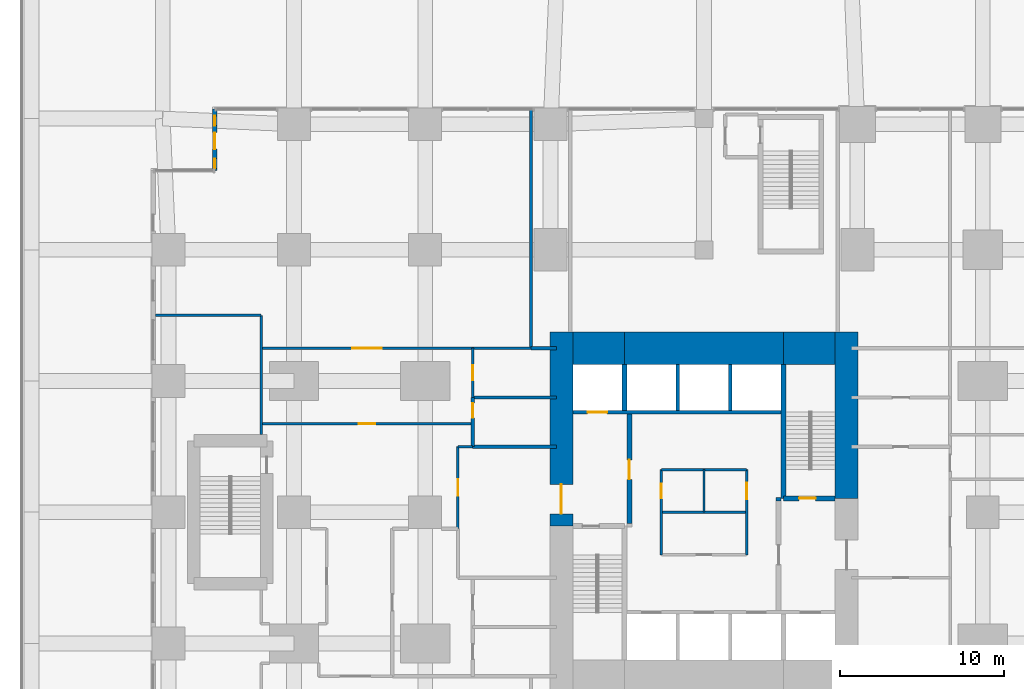
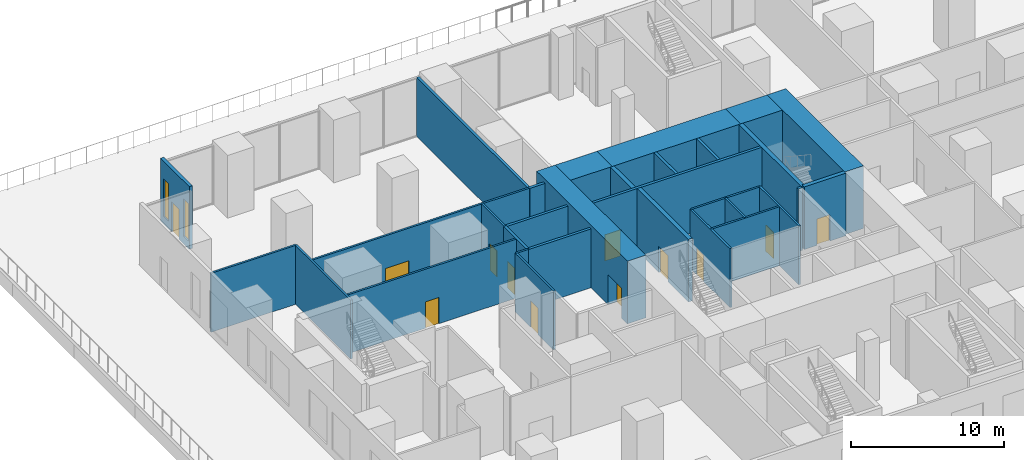
# One storey, part 10 of 16: 31 walls, 12 doors, 2 windows, 14 openings.
"""IFC4 building model written with IfcOpenShell, lengths in metres."""

from ifc_helpers import new_model, si_unit, direction, frame, frame_2d, origin, place, context, subcontext, project, spatial, rectangle, extrude, material, layer, layer_set, type_object, element, fill, save


model = new_model("IFC4")

# Units and contexts
model_context = context("Model", 3, precision=1e-05, world=origin(), true_north=direction((0.0, 1.0)))
body_context = subcontext(model_context, "Body", "Model", "MODEL_VIEW")
ifc_project = project(units=[si_unit("LENGTHUNIT", "METRE"), si_unit("AREAUNIT", "SQUARE_METRE"), si_unit("VOLUMEUNIT", "CUBIC_METRE"), si_unit("PLANEANGLEUNIT", "RADIAN"), si_unit("MASSUNIT", "GRAM", prefix="KILO")], contexts=[model_context])

# Site, building, storey
site_placement = place(None, origin())
site = spatial("IfcSite", under=ifc_project, at=site_placement, CompositionType="ELEMENT")
building_placement = place(site_placement, origin())
building = spatial("IfcBuilding", under=site, at=building_placement, Name="Cleftline Residences", CompositionType="ELEMENT")
storey_placement = place(building_placement, frame((0.0, 0.0, 16.0)))
storey = spatial("IfcBuildingStorey", under=building, at=storey_placement, Name="L03", CompositionType="ELEMENT", Elevation=16.0)

# Wall, opening, door
ifc_material_1 = material(Name="Concrete B70", Category="concrete")
ifc_layer_1 = layer(ifc_material_1, 1.39990234375)
ifc_layer_set_1 = layer_set([ifc_layer_1], Name="CORE WALL 1400")
wall_type_1 = type_object("IfcWallType", Name="CORE WALL 1400", PredefinedType="SHEAR", material=ifc_layer_set_1)
wall_1_placement = place(storey_placement, frame((24.300048828125, 23.14990234375, 0.0), z_axis=(0.0, 0.0, 1.0), x_axis=(0.0, 1.0, 0.0)))
wall_1 = element("IfcWall", 1, at=wall_1_placement, inside=storey, type_object=wall_type_1, Name="Core wall W", PredefinedType="SHEAR", context=body_context, shape_type="SweptSolid", body=[
    extrude(rectangle(XDim=11.85009765625, YDim=1.39990234375, at=frame_2d((5.925048828125, 0.0))), origin(), (0.0, 0.0, 1.0), 5.0),
])
opening_1_placement = place(wall_1_placement, frame((0.75, 0.0, 0.0)))
opening_1 = element("IfcOpeningElement", 2, at=opening_1_placement, cuts=wall_1, Name="Opening D7", PredefinedType="OPENING", context=body_context, shape_type="SweptSolid", body=[
    extrude(rectangle(XDim=1.800048828125, YDim=2.39990234375, at=frame_2d((0.89990234375, 1.199951171875))), frame((0.0, 0.7099609375, 0.0), z_axis=(0.0, -1.0, 0.0), x_axis=(1.0, 0.0, 0.0)), (0.0, 0.0, 1.0), 1.419921875),
])
ifc_material_2 = material(Name="Steel", Category="steel")
door_type_1 = type_object("IfcDoorType", Name="WING DOOR 1800X2400", OperationType="DOUBLE_DOOR_DOUBLE_SWING", PredefinedType="DOOR", material=ifc_material_2)
door_1_placement = place(opening_1_placement, origin())
door_1 = element("IfcDoor", 3, at=door_1_placement, inside=storey, type_object=door_type_1, Name="West wing door", OperationType="DOUBLE_DOOR_DOUBLE_SWING", OverallHeight=2.39990234375, OverallWidth=1.800048828125, PredefinedType="DOOR", context=body_context, shape_type="SweptSolid", body=[
    extrude(rectangle(XDim=1.800048828125, YDim=2.39990234375, at=frame_2d((0.89990234375, 1.199951171875))), frame((0.0, 0.02490234375, 0.0), z_axis=(0.0, -1.0, 0.0), x_axis=(1.0, 0.0, 0.0)), (0.0, 0.0, 1.0), 0.050048828125),
])
fill(opening_1, door_1)

# Walls
wall_2_placement = place(storey_placement, frame((41.699951171875, 24.85009765625, 0.0), z_axis=(0.0, 0.0, 1.0), x_axis=(0.0, 1.0, 0.0)))
element("IfcWall", 4, at=wall_2_placement, inside=storey, type_object=wall_type_1, Name="Core wall E1", PredefinedType="SHEAR", context=body_context, shape_type="SweptSolid", body=[
    extrude(rectangle(XDim=10.14990234375, YDim=1.39990234375, at=frame_2d((5.074951171875, 0.0))), origin(), (0.0, 0.0, 1.0), 5.0),
])
ifc_material_3 = material(Name="Concrete B70", Category="concrete")
ifc_layer_2 = layer(ifc_material_3, 2.0)
ifc_layer_set_2 = layer_set([ifc_layer_2], Name="CORE WALL 2000")
wall_type_2 = type_object("IfcWallType", Name="CORE WALL 2000", PredefinedType="SHEAR", material=ifc_layer_set_2)
wall_3_placement = place(storey_placement, frame((25.0, 34.0, 0.0), z_axis=(0.0, 0.0, 1.0), x_axis=(1.0, 0.0, 0.0)))
element("IfcWall", 5, at=wall_3_placement, inside=storey, type_object=wall_type_2, Name="Core wall N1", PredefinedType="SHEAR", context=body_context, shape_type="SweptSolid", body=[
    extrude(rectangle(XDim=3.14990234375, YDim=2.0, at=frame_2d((1.574951171875, 0.0))), origin(), (0.0, 0.0, 1.0), 5.0),
])
wall_4_placement = place(storey_placement, frame((28.14990234375, 34.0, 0.0), z_axis=(0.0, 0.0, 1.0), x_axis=(1.0, 0.0, 0.0)))
element("IfcWall", 6, at=wall_4_placement, inside=storey, type_object=wall_type_2, Name="Core wall N2", PredefinedType="SHEAR", context=body_context, shape_type="SweptSolid", body=[
    extrude(rectangle(XDim=9.7001953125, YDim=2.0, at=frame_2d((4.85009765625, 0.0))), origin(), (0.0, 0.0, 1.0), 5.0),
])
wall_5_placement = place(storey_placement, frame((37.85009765625, 34.0, 0.0), z_axis=(0.0, 0.0, 1.0), x_axis=(1.0, 0.0, 0.0)))
element("IfcWall", 7, at=wall_5_placement, inside=storey, type_object=wall_type_2, Name="Core wall N3", PredefinedType="SHEAR", context=body_context, shape_type="SweptSolid", body=[
    extrude(rectangle(XDim=3.14990234375, YDim=2.0, at=frame_2d((1.574951171875, 0.0))), origin(), (0.0, 0.0, 1.0), 5.0),
])
ifc_material_4 = material(Name="Concrete B70", Category="concrete")
ifc_layer_3 = layer(ifc_material_4, 0.300048828125)
ifc_layer_set_3 = layer_set([ifc_layer_3], Name="CORE WALL 300")
wall_type_3 = type_object("IfcWallType", Name="CORE WALL 300", PredefinedType="SHEAR", material=ifc_layer_set_3)
wall_6_placement = place(storey_placement, frame((37.85009765625, 24.85009765625, 0.0), z_axis=(0.0, 0.0, 1.0), x_axis=(0.0, 1.0, 0.0)))
element("IfcWall", 8, at=wall_6_placement, inside=storey, type_object=wall_type_3, Name="Core wall SB-W", PredefinedType="SHEAR", context=body_context, shape_type="SweptSolid", body=[
    extrude(rectangle(XDim=8.14990234375, YDim=0.300048828125, at=frame_2d((4.074951171875, 0.0))), origin(), (0.0, 0.0, 1.0), 5.0),
])

# Wall, opening, door
wall_7_placement = place(storey_placement, frame((37.85009765625, 24.85009765625, 0.0), z_axis=(0.0, 0.0, 1.0), x_axis=(1.0, 0.0, 0.0)))
wall_7 = element("IfcWall", 9, at=wall_7_placement, inside=storey, type_object=wall_type_3, Name="Core wall SB-S", PredefinedType="SHEAR", context=body_context, shape_type="SweptSolid", body=[
    extrude(rectangle(XDim=3.14990234375, YDim=0.300048828125, at=frame_2d((1.574951171875, 0.0))), origin(), (0.0, 0.0, 1.0), 5.0),
])
opening_2_placement = place(wall_7_placement, frame((0.949951171875, 0.0, 0.0)))
opening_2 = element("IfcOpeningElement", 10, at=opening_2_placement, cuts=wall_7, Name="Opening D5", PredefinedType="OPENING", context=body_context, shape_type="SweptSolid", body=[
    extrude(rectangle(XDim=1.0, YDim=2.10009765625, at=frame_2d((0.5, 1.050048828125))), frame((0.0, 0.159912109375, 0.0), z_axis=(0.0, -1.0, 0.0), x_axis=(1.0, 0.0, 0.0)), (0.0, 0.0, 1.0), 0.320068359375),
])
ifc_material_5 = material(Name="Steel", Category="steel")
door_type_2 = type_object("IfcDoorType", Name="STAIR DOOR 1000X2100", OperationType="SINGLE_SWING_LEFT", PredefinedType="DOOR", material=ifc_material_5)
door_2_placement = place(opening_2_placement, origin())
door_2 = element("IfcDoor", 11, at=door_2_placement, inside=storey, type_object=door_type_2, Name="Stair B door", OperationType="SINGLE_SWING_RIGHT", OverallHeight=2.10009765625, OverallWidth=1.0, PredefinedType="DOOR", context=body_context, shape_type="SweptSolid", body=[
    extrude(rectangle(XDim=1.0, YDim=2.10009765625, at=frame_2d((0.5, 1.050048828125))), frame((0.0, 0.02490234375, 0.0), z_axis=(0.0, -1.0, 0.0), x_axis=(1.0, 0.0, 0.0)), (0.0, 0.0, 1.0), 0.050048828125),
])
fill(opening_2, door_2)

# Wall
wall_8_placement = place(storey_placement, frame((28.14990234375, 30.199951171875, 0.0), z_axis=(0.0, 0.0, 1.0), x_axis=(0.0, 1.0, 0.0)))
element("IfcWall", 12, at=wall_8_placement, inside=storey, type_object=wall_type_3, Name="Lift shaft wall", PredefinedType="SHEAR", context=body_context, shape_type="SweptSolid", body=[
    extrude(rectangle(XDim=2.800048828125, YDim=0.300048828125, at=frame_2d((1.39990234375, 0.0))), origin(), (0.0, 0.0, 1.0), 5.0),
])

# Wall, openings, door, windows
ifc_material_6 = material(Name="Rendered reinforced concrete blockwork", Category="masonry")
ifc_layer_4 = layer(ifc_material_6, 0.25)
ifc_layer_set_4 = layer_set([ifc_layer_4], Name="EXTERNAL WALL 250")
wall_type_4 = type_object("IfcWallType", Name="EXTERNAL WALL 250", PredefinedType="SOLIDWALL", material=ifc_layer_set_4)
wall_9_placement = place(storey_placement, frame((3.175048828125, 48.574951171875, 0.0), z_axis=(0.0, 0.0, 1.0), x_axis=(0.0, -1.0, 0.0)))
wall_9 = element("IfcWall", 13, at=wall_9_placement, inside=storey, type_object=wall_type_4, Name="External wall", PredefinedType="SOLIDWALL", context=body_context, shape_type="SweptSolid", body=[
    extrude(rectangle(XDim=3.75, YDim=0.25, at=frame_2d((1.875, 0.0))), origin(), (0.0, 0.0, 1.0), 5.0),
])
opening_3_placement = place(wall_9_placement, frame((1.4375, 0.0, 0.0)))
opening_3 = element("IfcOpeningElement", 14, at=opening_3_placement, cuts=wall_9, Name="Opening DT1", PredefinedType="OPENING", context=body_context, shape_type="SweptSolid", body=[
    extrude(rectangle(XDim=1.0, YDim=2.39990234375, at=frame_2d((0.5, 1.199951171875))), frame((0.0, 0.135009765625, 0.0), z_axis=(0.0, -1.0, 0.0), x_axis=(1.0, 0.0, 0.0)), (0.0, 0.0, 1.0), 0.27001953125),
])
opening_4_placement = place(wall_9_placement, frame((0.40625, 0.0, 0.60009765625)))
opening_4 = element("IfcOpeningElement", 15, at=opening_4_placement, cuts=wall_9, Name="Opening W4", PredefinedType="OPENING", context=body_context, shape_type="SweptSolid", body=[
    extrude(rectangle(XDim=0.60009765625, YDim=3.0, at=frame_2d((0.300048828125, 1.5))), frame((0.0, 0.135009765625, 0.0), z_axis=(0.0, -1.0, 0.0), x_axis=(1.0, 0.0, 0.0)), (0.0, 0.0, 1.0), 0.27001953125),
])
opening_5_placement = place(wall_9_placement, frame((3.018798828125, 0.0, 0.60009765625)))
opening_5 = element("IfcOpeningElement", 16, at=opening_5_placement, cuts=wall_9, Name="Opening W4", PredefinedType="OPENING", context=body_context, shape_type="SweptSolid", body=[
    extrude(rectangle(XDim=0.60009765625, YDim=3.0, at=frame_2d((0.300048828125, 1.5))), frame((0.0, 0.135009765625, 0.0), z_axis=(0.0, -1.0, 0.0), x_axis=(1.0, 0.0, 0.0)), (0.0, 0.0, 1.0), 0.27001953125),
])
ifc_material_7 = material(Name="Aluminium and laminated glass", Category="aluminium")
door_type_3 = type_object("IfcDoorType", Name="TERRACE DOOR 1000X2400", OperationType="SINGLE_SWING_LEFT", PredefinedType="DOOR", material=ifc_material_7)
door_3_placement = place(opening_3_placement, origin())
door_3 = element("IfcDoor", 17, at=door_3_placement, inside=storey, type_object=door_type_3, Name="Terrace door", OperationType="SINGLE_SWING_LEFT", OverallHeight=2.39990234375, OverallWidth=1.0, PredefinedType="DOOR", context=body_context, shape_type="SweptSolid", body=[
    extrude(rectangle(XDim=1.0, YDim=2.39990234375, at=frame_2d((0.5, 1.199951171875))), frame((0.0, 0.02490234375, 0.0), z_axis=(0.0, -1.0, 0.0), x_axis=(1.0, 0.0, 0.0)), (0.0, 0.0, 1.0), 0.050048828125),
])
fill(opening_3, door_3)
ifc_material_8 = material(Name="Aluminium frame, clear double glazing", Category="aluminium")
window_type = type_object("IfcWindowType", Name="WINDOW 600X3000", PartitioningType="DOUBLE_PANEL_VERTICAL", PredefinedType="WINDOW", material=ifc_material_8)
window_1_placement = place(opening_4_placement, origin())
window_1 = element("IfcWindow", 18, at=window_1_placement, inside=storey, type_object=window_type, Name="Window", OverallHeight=3.0, OverallWidth=0.60009765625, PartitioningType="SINGLE_PANEL", PredefinedType="WINDOW", context=body_context, shape_type="SweptSolid", body=[
    extrude(rectangle(XDim=0.60009765625, YDim=3.0, at=frame_2d((0.300048828125, 1.5))), frame((0.0, 0.030029296875, 0.0), z_axis=(0.0, -1.0, 0.0), x_axis=(1.0, 0.0, 0.0)), (0.0, 0.0, 1.0), 0.06005859375),
])
fill(opening_4, window_1)
window_2_placement = place(opening_5_placement, origin())
window_2 = element("IfcWindow", 19, at=window_2_placement, inside=storey, type_object=window_type, Name="Window", OverallHeight=3.0, OverallWidth=0.60009765625, PartitioningType="SINGLE_PANEL", PredefinedType="WINDOW", context=body_context, shape_type="SweptSolid", body=[
    extrude(rectangle(XDim=0.60009765625, YDim=3.0, at=frame_2d((0.300048828125, 1.5))), frame((0.0, 0.030029296875, 0.0), z_axis=(0.0, -1.0, 0.0), x_axis=(1.0, 0.0, 0.0)), (0.0, 0.0, 1.0), 0.06005859375),
])
fill(opening_5, window_2)

# Walls
ifc_material_9 = material(Name="Concrete blockwork, fire rated", Category="masonry")
ifc_layer_5 = layer(ifc_material_9, 0.199951171875)
ifc_layer_set_5 = layer_set([ifc_layer_5], Name="FIRE WALL 200")
wall_type_5 = type_object("IfcWallType", Name="FIRE WALL 200", PredefinedType="PARTITIONING", material=ifc_layer_set_5)
for number, where, z_axis, x_axis, name in (
    (20, (18.89990234375, 28.0, 0.0), (0.0, 0.0, 1.0), (1.0, 0.0, 0.0), "Fire separating wall"),
    (21, (18.89990234375, 31.0, 0.0), (0.0, 0.0, 1.0), (1.0, 0.0, 0.0), "Fire separating wall"),
):
    element("IfcWall", number, at=place(storey_placement, frame(where, z_axis=z_axis, x_axis=x_axis)), inside=storey, type_object=wall_type_5, Name=name, PredefinedType="PARTITIONING", context=body_context, shape_type="SweptSolid", body=[
        extrude(rectangle(XDim=5.10009765625, YDim=0.199951171875, at=frame_2d((2.550048828125, 0.0))), origin(), (0.0, 0.0, 1.0), 4.699951171875),
    ])
wall_10_placement = place(storey_placement, frame((22.449951171875, 34.0, 0.0), z_axis=(0.0, 0.0, 1.0), x_axis=(1.0, 0.0, 0.0)))
element("IfcWall", 22, at=wall_10_placement, inside=storey, type_object=wall_type_5, Name="Fire separating wall", PredefinedType="PARTITIONING", context=body_context, shape_type="SweptSolid", body=[
    extrude(rectangle(XDim=1.550048828125, YDim=0.199951171875, at=frame_2d((0.77490234375, 0.0))), origin(), (0.0, 0.0, 1.0), 4.699951171875),
])

# Wall, opening, door
wall_11_placement = place(storey_placement, frame((18.89990234375, 28.0, 0.0), z_axis=(0.0, 0.0, 1.0), x_axis=(0.0, 1.0, 0.0)))
wall_11 = element("IfcWall", 23, at=wall_11_placement, inside=storey, type_object=wall_type_5, Name="Fire separating wall", PredefinedType="PARTITIONING", context=body_context, shape_type="SweptSolid", body=[
    extrude(rectangle(XDim=3.0, YDim=0.199951171875, at=frame_2d((1.5, 0.0))), origin(), (0.0, 0.0, 1.0), 4.699951171875),
])
opening_6_placement = place(wall_11_placement, frame((1.75, 0.0, 0.0)))
opening_6 = element("IfcOpeningElement", 24, at=opening_6_placement, cuts=wall_11, Name="Opening D1F30", PredefinedType="OPENING", context=body_context, shape_type="SweptSolid", body=[
    extrude(rectangle(XDim=0.89990234375, YDim=2.10009765625, at=frame_2d((0.449951171875, 1.050048828125))), frame((0.0, 0.10986328125, 0.0), z_axis=(0.0, -1.0, 0.0), x_axis=(1.0, 0.0, 0.0)), (0.0, 0.0, 1.0), 0.219970703125),
])
ifc_material_10 = material(Name="Timber veneer on solid core", Category="wood")
door_type_4 = type_object("IfcDoorType", Name="DOOR 900X2100 EI 30", OperationType="SINGLE_SWING_LEFT", PredefinedType="DOOR", material=ifc_material_10)
door_4_placement = place(opening_6_placement, origin())
door_4 = element("IfcDoor", 25, at=door_4_placement, inside=storey, type_object=door_type_4, Name="Door to accessible wc", OperationType="SINGLE_SWING_LEFT", OverallHeight=2.10009765625, OverallWidth=0.89990234375, PredefinedType="DOOR", context=body_context, shape_type="SweptSolid", body=[
    extrude(rectangle(XDim=0.89990234375, YDim=2.10009765625, at=frame_2d((0.449951171875, 1.050048828125))), frame((0.0, 0.02490234375, 0.0), z_axis=(0.0, -1.0, 0.0), x_axis=(1.0, 0.0, 0.0)), (0.0, 0.0, 1.0), 0.050048828125),
])
fill(opening_6, door_4)

# Walls
wall_12_placement = place(storey_placement, frame((22.449951171875, 34.0, 0.0), z_axis=(0.0, 0.0, 1.0), x_axis=(0.0, 1.0, 0.0)))
element("IfcWall", 26, at=wall_12_placement, inside=storey, type_object=wall_type_5, Name="Fire separating wall", PredefinedType="PARTITIONING", context=body_context, shape_type="SweptSolid", body=[
    extrude(rectangle(XDim=14.56103515625, YDim=0.199951171875, at=frame_2d((7.280517578125, 0.0))), origin(), (0.0, 0.0, 1.0), 4.699951171875),
])
wall_13_placement = place(storey_placement, frame((37.39990234375, 24.800048828125, 0.0), z_axis=(0.0, 0.0, 1.0), x_axis=(1.0, 0.0, 0.0)))
element("IfcWall", 27, at=wall_13_placement, inside=storey, type_object=wall_type_5, Name="Fire separating wall", PredefinedType="PARTITIONING", context=body_context, shape_type="SweptSolid", body=[
    extrude(rectangle(XDim=0.300048828125, YDim=0.199951171875, at=frame_2d((0.14990234375, 0.0))), origin(), (0.0, 0.0, 1.0), 5.0),
])
ifc_material_11 = material(Name="Gypsum board on steel studs", Category="steel")
ifc_layer_6 = layer(ifc_material_11, 0.14990234375)
ifc_layer_set_6 = layer_set([ifc_layer_6], Name="PARTITION 150")
wall_type_6 = type_object("IfcWallType", Name="PARTITION 150", PredefinedType="PARTITIONING", material=ifc_layer_set_6)
wall_14_placement = place(storey_placement, frame((18.0, 28.0, 0.0), z_axis=(0.0, 0.0, 1.0), x_axis=(1.0, 0.0, 0.0)))
element("IfcWall", 28, at=wall_14_placement, inside=storey, type_object=wall_type_6, Name="Partition", PredefinedType="PARTITIONING", context=body_context, shape_type="SweptSolid", body=[
    extrude(rectangle(XDim=0.89990234375, YDim=0.14990234375, at=frame_2d((0.449951171875, 0.0))), origin(), (0.0, 0.0, 1.0), 4.699951171875),
])

# Wall, opening, door
wall_15_placement = place(storey_placement, frame((6.0, 29.39990234375, 0.0), z_axis=(0.0, 0.0, 1.0), x_axis=(1.0, 0.0, 0.0)))
wall_15 = element("IfcWall", 29, at=wall_15_placement, inside=storey, type_object=wall_type_6, Name="Partition", PredefinedType="PARTITIONING", context=body_context, shape_type="SweptSolid", body=[
    extrude(rectangle(XDim=12.89990234375, YDim=0.14990234375, at=frame_2d((6.449951171875, 0.0))), origin(), (0.0, 0.0, 1.0), 4.699951171875),
])
opening_7_placement = place(wall_15_placement, frame((5.949951171875, 0.0, 0.0)))
opening_7 = element("IfcOpeningElement", 30, at=opening_7_placement, cuts=wall_15, Name="Opening D2F30", PredefinedType="OPENING", context=body_context, shape_type="SweptSolid", body=[
    extrude(rectangle(XDim=1.0, YDim=2.10009765625, at=frame_2d((0.5, 1.050048828125))), frame((0.0, 0.0849609375, 0.0), z_axis=(0.0, -1.0, 0.0), x_axis=(1.0, 0.0, 0.0)), (0.0, 0.0, 1.0), 0.169921875),
])
ifc_material_12 = material(Name="Timber veneer on solid core", Category="wood")
door_type_5 = type_object("IfcDoorType", Name="DOOR 1000X2100 EI 30", OperationType="SINGLE_SWING_LEFT", PredefinedType="DOOR", material=ifc_material_12)
door_5_placement = place(opening_7_placement, origin())
door_5 = element("IfcDoor", 31, at=door_5_placement, inside=storey, type_object=door_type_5, Name="Door to podium corridor north", OperationType="SINGLE_SWING_LEFT", OverallHeight=2.10009765625, OverallWidth=1.0, PredefinedType="DOOR", context=body_context, shape_type="SweptSolid", body=[
    extrude(rectangle(XDim=1.0, YDim=2.10009765625, at=frame_2d((0.5, 1.050048828125))), frame((0.0, 0.02490234375, 0.0), z_axis=(0.0, -1.0, 0.0), x_axis=(1.0, 0.0, 0.0)), (0.0, 0.0, 1.0), 0.050048828125),
])
fill(opening_7, door_5)

wall_16_placement = place(storey_placement, frame((6.0, 34.0, 0.0), z_axis=(0.0, 0.0, 1.0), x_axis=(1.0, 0.0, 0.0)))
wall_16 = element("IfcWall", 32, at=wall_16_placement, inside=storey, type_object=wall_type_6, Name="Partition", PredefinedType="PARTITIONING", context=body_context, shape_type="SweptSolid", body=[
    extrude(rectangle(XDim=16.449951171875, YDim=0.14990234375, at=frame_2d((8.22509765625, 0.0))), origin(), (0.0, 0.0, 1.0), 4.699951171875),
])
opening_8_placement = place(wall_16_placement, frame((5.550048828125, 0.0, 0.0)))
opening_8 = element("IfcOpeningElement", 33, at=opening_8_placement, cuts=wall_16, Name="Opening D3", PredefinedType="OPENING", context=body_context, shape_type="SweptSolid", body=[
    extrude(rectangle(XDim=1.800048828125, YDim=2.10009765625, at=frame_2d((0.89990234375, 1.050048828125))), frame((0.0, 0.0849609375, 0.0), z_axis=(0.0, -1.0, 0.0), x_axis=(1.0, 0.0, 0.0)), (0.0, 0.0, 1.0), 0.169921875),
])
ifc_material_13 = material(Name="Timber veneer on solid core", Category="wood")
door_type_6 = type_object("IfcDoorType", Name="DOUBLE DOOR 1800X2100", OperationType="DOUBLE_DOOR_DOUBLE_SWING", PredefinedType="DOOR", material=ifc_material_13)
door_6_placement = place(opening_8_placement, origin())
door_6 = element("IfcDoor", 34, at=door_6_placement, inside=storey, type_object=door_type_6, Name="Door to children's playroom", OperationType="DOUBLE_DOOR_DOUBLE_SWING", OverallHeight=2.10009765625, OverallWidth=1.800048828125, PredefinedType="DOOR", context=body_context, shape_type="SweptSolid", body=[
    extrude(rectangle(XDim=1.800048828125, YDim=2.10009765625, at=frame_2d((0.89990234375, 1.050048828125))), frame((0.0, 0.02490234375, 0.0), z_axis=(0.0, -1.0, 0.0), x_axis=(1.0, 0.0, 0.0)), (0.0, 0.0, 1.0), 0.050048828125),
])
fill(opening_8, door_6)

# Walls
wall_17_placement = place(storey_placement, frame((-0.449951171875, 36.0, 0.0), z_axis=(0.0, 0.0, 1.0), x_axis=(1.0, 0.0, 0.0)))
element("IfcWall", 35, at=wall_17_placement, inside=storey, type_object=wall_type_6, Name="Partition", PredefinedType="PARTITIONING", context=body_context, shape_type="SweptSolid", body=[
    extrude(rectangle(XDim=6.449951171875, YDim=0.14990234375, at=frame_2d((3.22509765625, 0.0))), origin(), (0.0, 0.0, 1.0), 4.699951171875),
])
wall_18_placement = place(storey_placement, frame((6.0, 28.72509765625, 0.0), z_axis=(0.0, 0.0, 1.0), x_axis=(0.0, 1.0, 0.0)))
element("IfcWall", 36, at=wall_18_placement, inside=storey, type_object=wall_type_6, Name="Partition", PredefinedType="PARTITIONING", context=body_context, shape_type="SweptSolid", body=[
    extrude(rectangle(XDim=7.27490234375, YDim=0.14990234375, at=frame_2d((3.637451171875, 0.0))), origin(), (0.0, 0.0, 1.0), 4.699951171875),
])

# Wall, opening, door
wall_19_placement = place(storey_placement, frame((18.0, 23.0, 0.0), z_axis=(0.0, 0.0, 1.0), x_axis=(0.0, 1.0, 0.0)))
wall_19 = element("IfcWall", 37, at=wall_19_placement, inside=storey, type_object=wall_type_6, Name="Partition", PredefinedType="PARTITIONING", context=body_context, shape_type="SweptSolid", body=[
    extrude(rectangle(XDim=5.0, YDim=0.14990234375, at=frame_2d((2.5, 0.0))), origin(), (0.0, 0.0, 1.0), 4.699951171875),
])
opening_9_placement = place(wall_19_placement, frame((2.0, 0.0, 0.0)))
opening_9 = element("IfcOpeningElement", 38, at=opening_9_placement, cuts=wall_19, Name="Opening D2F30", PredefinedType="OPENING", context=body_context, shape_type="SweptSolid", body=[
    extrude(rectangle(XDim=1.0, YDim=2.10009765625, at=frame_2d((0.5, 1.050048828125))), frame((0.0, 0.0849609375, 0.0), z_axis=(0.0, -1.0, 0.0), x_axis=(1.0, 0.0, 0.0)), (0.0, 0.0, 1.0), 0.169921875),
])
door_7_placement = place(opening_9_placement, origin())
door_7 = element("IfcDoor", 39, at=door_7_placement, inside=storey, type_object=door_type_5, Name="Door to podium corridor", OperationType="SINGLE_SWING_LEFT", OverallHeight=2.10009765625, OverallWidth=1.0, PredefinedType="DOOR", context=body_context, shape_type="SweptSolid", body=[
    extrude(rectangle(XDim=1.0, YDim=2.10009765625, at=frame_2d((0.5, 1.050048828125))), frame((0.0, 0.02490234375, 0.0), z_axis=(0.0, -1.0, 0.0), x_axis=(1.0, 0.0, 0.0)), (0.0, 0.0, 1.0), 0.050048828125),
])
fill(opening_9, door_7)

wall_20_placement = place(storey_placement, frame((18.89990234375, 31.0, 0.0), z_axis=(0.0, 0.0, 1.0), x_axis=(0.0, 1.0, 0.0)))
wall_20 = element("IfcWall", 40, at=wall_20_placement, inside=storey, type_object=wall_type_6, Name="Partition", PredefinedType="PARTITIONING", context=body_context, shape_type="SweptSolid", body=[
    extrude(rectangle(XDim=3.0, YDim=0.14990234375, at=frame_2d((1.5, 0.0))), origin(), (0.0, 0.0, 1.0), 4.699951171875),
])
opening_10_placement = place(wall_20_placement, frame((1.050048828125, 0.0, 0.0)))
opening_10 = element("IfcOpeningElement", 41, at=opening_10_placement, cuts=wall_20, Name="Opening D1", PredefinedType="OPENING", context=body_context, shape_type="SweptSolid", body=[
    extrude(rectangle(XDim=0.89990234375, YDim=2.10009765625, at=frame_2d((0.449951171875, 1.050048828125))), frame((0.0, 0.0849609375, 0.0), z_axis=(0.0, -1.0, 0.0), x_axis=(1.0, 0.0, 0.0)), (0.0, 0.0, 1.0), 0.169921875),
])
ifc_material_14 = material(Name="Timber veneer on solid core", Category="wood")
door_type_7 = type_object("IfcDoorType", Name="DOOR 900X2100", OperationType="SINGLE_SWING_LEFT", PredefinedType="DOOR", material=ifc_material_14)
door_8_placement = place(opening_10_placement, origin())
door_8 = element("IfcDoor", 42, at=door_8_placement, inside=storey, type_object=door_type_7, Name="Door to cleaner's store", OperationType="SINGLE_SWING_LEFT", OverallHeight=2.10009765625, OverallWidth=0.89990234375, PredefinedType="DOOR", context=body_context, shape_type="SweptSolid", body=[
    extrude(rectangle(XDim=0.89990234375, YDim=2.10009765625, at=frame_2d((0.449951171875, 1.050048828125))), frame((0.0, 0.02490234375, 0.0), z_axis=(0.0, -1.0, 0.0), x_axis=(1.0, 0.0, 0.0)), (0.0, 0.0, 1.0), 0.050048828125),
])
fill(opening_10, door_8)

# Wall
ifc_material_15 = material(Name="Fire-resisting gypsum board on steel studs", Category="steel")
ifc_layer_7 = layer(ifc_material_15, 0.14990234375)
ifc_layer_set_7 = layer_set([ifc_layer_7], Name="PARTITION 150 EI 60")
wall_type_7 = type_object("IfcWallType", Name="PARTITION 150 EI 60", PredefinedType="PARTITIONING", material=ifc_layer_set_7)
wall_21_placement = place(storey_placement, frame((30.39990234375, 26.60009765625, 0.0), z_axis=(0.0, 0.0, 1.0), x_axis=(1.0, 0.0, 0.0)))
element("IfcWall", 43, at=wall_21_placement, inside=storey, type_object=wall_type_7, Name="Core room partition", PredefinedType="PARTITIONING", context=body_context, shape_type="SweptSolid", body=[
    extrude(rectangle(XDim=5.2001953125, YDim=0.14990234375, at=frame_2d((2.60009765625, 0.0))), origin(), (0.0, 0.0, 1.0), 4.699951171875),
])

# Wall, opening, door
wall_22_placement = place(storey_placement, frame((30.39990234375, 21.39990234375, 0.0), z_axis=(0.0, 0.0, 1.0), x_axis=(0.0, 1.0, 0.0)))
wall_22 = element("IfcWall", 44, at=wall_22_placement, inside=storey, type_object=wall_type_7, Name="Core room partition", PredefinedType="PARTITIONING", context=body_context, shape_type="SweptSolid", body=[
    extrude(rectangle(XDim=5.2001953125, YDim=0.14990234375, at=frame_2d((2.60009765625, 0.0))), origin(), (0.0, 0.0, 1.0), 4.699951171875),
])
opening_11_placement = place(wall_22_placement, frame((3.449951171875, 0.0, 0.0)))
opening_11 = element("IfcOpeningElement", 45, at=opening_11_placement, cuts=wall_22, Name="Opening D1F30", PredefinedType="OPENING", context=body_context, shape_type="SweptSolid", body=[
    extrude(rectangle(XDim=0.89990234375, YDim=2.10009765625, at=frame_2d((0.449951171875, 1.050048828125))), frame((0.0, 0.0849609375, 0.0), z_axis=(0.0, -1.0, 0.0), x_axis=(1.0, 0.0, 0.0)), (0.0, 0.0, 1.0), 0.169921875),
])
door_9_placement = place(opening_11_placement, origin())
door_9 = element("IfcDoor", 46, at=door_9_placement, inside=storey, type_object=door_type_4, Name="Door to linen store", OperationType="SINGLE_SWING_LEFT", OverallHeight=2.10009765625, OverallWidth=0.89990234375, PredefinedType="DOOR", context=body_context, shape_type="SweptSolid", body=[
    extrude(rectangle(XDim=0.89990234375, YDim=2.10009765625, at=frame_2d((0.449951171875, 1.050048828125))), frame((0.0, 0.02490234375, 0.0), z_axis=(0.0, -1.0, 0.0), x_axis=(1.0, 0.0, 0.0)), (0.0, 0.0, 1.0), 0.050048828125),
])
fill(opening_11, door_9)

wall_23_placement = place(storey_placement, frame((35.60009765625, 21.39990234375, 0.0), z_axis=(0.0, 0.0, 1.0), x_axis=(0.0, 1.0, 0.0)))
wall_23 = element("IfcWall", 47, at=wall_23_placement, inside=storey, type_object=wall_type_7, Name="Core room partition", PredefinedType="PARTITIONING", context=body_context, shape_type="SweptSolid", body=[
    extrude(rectangle(XDim=5.2001953125, YDim=0.14990234375, at=frame_2d((2.60009765625, 0.0))), origin(), (0.0, 0.0, 1.0), 4.699951171875),
])
opening_12_placement = place(wall_23_placement, frame((3.39990234375, 0.0, 0.0)))
opening_12 = element("IfcOpeningElement", 48, at=opening_12_placement, cuts=wall_23, Name="Opening D2F60", PredefinedType="OPENING", context=body_context, shape_type="SweptSolid", body=[
    extrude(rectangle(XDim=1.0, YDim=2.10009765625, at=frame_2d((0.5, 1.050048828125))), frame((0.0, 0.0849609375, 0.0), z_axis=(0.0, -1.0, 0.0), x_axis=(1.0, 0.0, 0.0)), (0.0, 0.0, 1.0), 0.169921875),
])
ifc_material_16 = material(Name="Timber veneer on solid core", Category="wood")
door_type_8 = type_object("IfcDoorType", Name="DOOR 1000X2100 EI 60", OperationType="SINGLE_SWING_LEFT", PredefinedType="DOOR", material=ifc_material_16)
door_10_placement = place(opening_12_placement, origin())
door_10 = element("IfcDoor", 49, at=door_10_placement, inside=storey, type_object=door_type_8, Name="Door to telecom room", OperationType="SINGLE_SWING_LEFT", OverallHeight=2.10009765625, OverallWidth=1.0, PredefinedType="DOOR", context=body_context, shape_type="SweptSolid", body=[
    extrude(rectangle(XDim=1.0, YDim=2.10009765625, at=frame_2d((0.5, 1.050048828125))), frame((0.0, 0.02490234375, 0.0), z_axis=(0.0, -1.0, 0.0), x_axis=(1.0, 0.0, 0.0)), (0.0, 0.0, 1.0), 0.050048828125),
])
fill(opening_12, door_10)

# Walls
wall_24_placement = place(storey_placement, frame((30.39990234375, 24.0, 0.0), z_axis=(0.0, 0.0, 1.0), x_axis=(1.0, 0.0, 0.0)))
element("IfcWall", 50, at=wall_24_placement, inside=storey, type_object=wall_type_7, Name="Core room partition", PredefinedType="PARTITIONING", context=body_context, shape_type="SweptSolid", body=[
    extrude(rectangle(XDim=5.2001953125, YDim=0.14990234375, at=frame_2d((2.60009765625, 0.0))), origin(), (0.0, 0.0, 1.0), 4.699951171875),
])
wall_25_placement = place(storey_placement, frame((33.0, 24.0, 0.0), z_axis=(0.0, 0.0, 1.0), x_axis=(0.0, 1.0, 0.0)))
element("IfcWall", 51, at=wall_25_placement, inside=storey, type_object=wall_type_7, Name="Core room partition", PredefinedType="PARTITIONING", context=body_context, shape_type="SweptSolid", body=[
    extrude(rectangle(XDim=2.60009765625, YDim=0.14990234375, at=frame_2d((1.300048828125, 0.0))), origin(), (0.0, 0.0, 1.0), 4.699951171875),
])

# Wall, opening, door
ifc_material_17 = material(Name="Concrete blockwork, fire rated", Category="masonry")
ifc_layer_8 = layer(ifc_material_17, 0.199951171875)
ifc_layer_set_8 = layer_set([ifc_layer_8], Name="SHAFT WALL 200")
wall_type_8 = type_object("IfcWallType", Name="SHAFT WALL 200", PredefinedType="PARTITIONING", material=ifc_layer_set_8)
wall_26_placement = place(storey_placement, frame((25.0, 30.10009765625, 0.0), z_axis=(0.0, 0.0, 1.0), x_axis=(1.0, 0.0, 0.0)))
wall_26 = element("IfcWall", 52, at=wall_26_placement, inside=storey, type_object=wall_type_8, Name="Lift shaft wall", PredefinedType="PARTITIONING", context=body_context, shape_type="SweptSolid", body=[
    extrude(rectangle(XDim=12.699951171875, YDim=0.199951171875, at=frame_2d((6.35009765625, 0.0))), origin(), (0.0, 0.0, 1.0), 5.0),
])
opening_13_placement = place(wall_26_placement, frame((0.89990234375, 0.0, 0.0)))
opening_13 = element("IfcOpeningElement", 53, at=opening_13_placement, cuts=wall_26, Name="Opening LD2", PredefinedType="OPENING", context=body_context, shape_type="SweptSolid", body=[
    extrude(rectangle(XDim=1.199951171875, YDim=2.10009765625, at=frame_2d((0.60009765625, 1.050048828125))), frame((0.0, 0.10986328125, 0.0), z_axis=(0.0, -1.0, 0.0), x_axis=(1.0, 0.0, 0.0)), (0.0, 0.0, 1.0), 0.219970703125),
])
ifc_material_18 = material(Name="Steel", Category="steel")
door_type_9 = type_object("IfcDoorType", Name="FIREFIGHTING LIFT LANDING DOOR 1200X2100", OperationType="SLIDING_TO_LEFT", PredefinedType="DOOR", material=ifc_material_18)
door_11_placement = place(opening_13_placement, origin())
door_11 = element("IfcDoor", 54, at=door_11_placement, inside=storey, type_object=door_type_9, Name="Lift FL1 landing door", OperationType="SLIDING_TO_LEFT", OverallHeight=2.10009765625, OverallWidth=1.199951171875, PredefinedType="DOOR", context=body_context, shape_type="SweptSolid", body=[
    extrude(rectangle(XDim=1.199951171875, YDim=2.10009765625, at=frame_2d((0.60009765625, 1.050048828125))), frame((0.0, 0.02490234375, 0.0), z_axis=(0.0, -1.0, 0.0), x_axis=(1.0, 0.0, 0.0)), (0.0, 0.0, 1.0), 0.050048828125),
])
fill(opening_13, door_11)

# Walls
for number, where, z_axis, x_axis, name in (
    (55, (31.39990234375, 30.199951171875, 0.0), (0.0, 0.0, 1.0), (0.0, 1.0, 0.0), "Lift shaft wall"),
    (56, (34.60009765625, 30.199951171875, 0.0), (0.0, 0.0, 1.0), (0.0, 1.0, 0.0), "Lift shaft wall"),
):
    element("IfcWall", number, at=place(storey_placement, frame(where, z_axis=z_axis, x_axis=x_axis)), inside=storey, type_object=wall_type_8, Name=name, PredefinedType="PARTITIONING", context=body_context, shape_type="SweptSolid", body=[
        extrude(rectangle(XDim=2.800048828125, YDim=0.199951171875, at=frame_2d((1.39990234375, 0.0))), origin(), (0.0, 0.0, 1.0), 5.0),
    ])

# Wall, opening, door
ifc_material_19 = material(Name="Concrete blockwork, fire rated", Category="masonry")
ifc_layer_9 = layer(ifc_material_19, 0.300048828125)
ifc_layer_set_9 = layer_set([ifc_layer_9], Name="STAIR LOBBY WALL 300")
wall_type_9 = type_object("IfcWallType", Name="STAIR LOBBY WALL 300", PredefinedType="PARTITIONING", material=ifc_layer_set_9)
wall_27_placement = place(storey_placement, frame((28.449951171875, 23.300048828125, 0.0), z_axis=(0.0, 0.0, 1.0), x_axis=(0.0, 1.0, 0.0)))
wall_27 = element("IfcWall", 57, at=wall_27_placement, inside=storey, type_object=wall_type_9, Name="Stair and lobby wall FA-E", PredefinedType="PARTITIONING", context=body_context, shape_type="SweptSolid", body=[
    extrude(rectangle(XDim=6.699951171875, YDim=0.300048828125, at=frame_2d((3.35009765625, 0.0))), origin(), (0.0, 0.0, 1.0), 5.0),
])
opening_14_placement = place(wall_27_placement, frame((2.699951171875, 0.0, 0.0)))
opening_14 = element("IfcOpeningElement", 58, at=opening_14_placement, cuts=wall_27, Name="Opening D6", PredefinedType="OPENING", context=body_context, shape_type="SweptSolid", body=[
    extrude(rectangle(XDim=1.199951171875, YDim=2.10009765625, at=frame_2d((0.60009765625, 1.050048828125))), frame((0.0, 0.159912109375, 0.0), z_axis=(0.0, -1.0, 0.0), x_axis=(1.0, 0.0, 0.0)), (0.0, 0.0, 1.0), 0.320068359375),
])
ifc_material_20 = material(Name="Steel", Category="steel")
door_type_10 = type_object("IfcDoorType", Name="LOBBY DOOR 1200X2100", OperationType="SINGLE_SWING_RIGHT", PredefinedType="DOOR", material=ifc_material_20)
door_12_placement = place(opening_14_placement, origin())
door_12 = element("IfcDoor", 59, at=door_12_placement, inside=storey, type_object=door_type_10, Name="Firefighting lobby A door", OperationType="SINGLE_SWING_RIGHT", OverallHeight=2.10009765625, OverallWidth=1.199951171875, PredefinedType="DOOR", context=body_context, shape_type="SweptSolid", body=[
    extrude(rectangle(XDim=1.199951171875, YDim=2.10009765625, at=frame_2d((0.60009765625, 1.050048828125))), frame((0.0, 0.02490234375, 0.0), z_axis=(0.0, -1.0, 0.0), x_axis=(1.0, 0.0, 0.0)), (0.0, 0.0, 1.0), 0.050048828125),
])
fill(opening_14, door_12)

save(model, "model.ifc")
